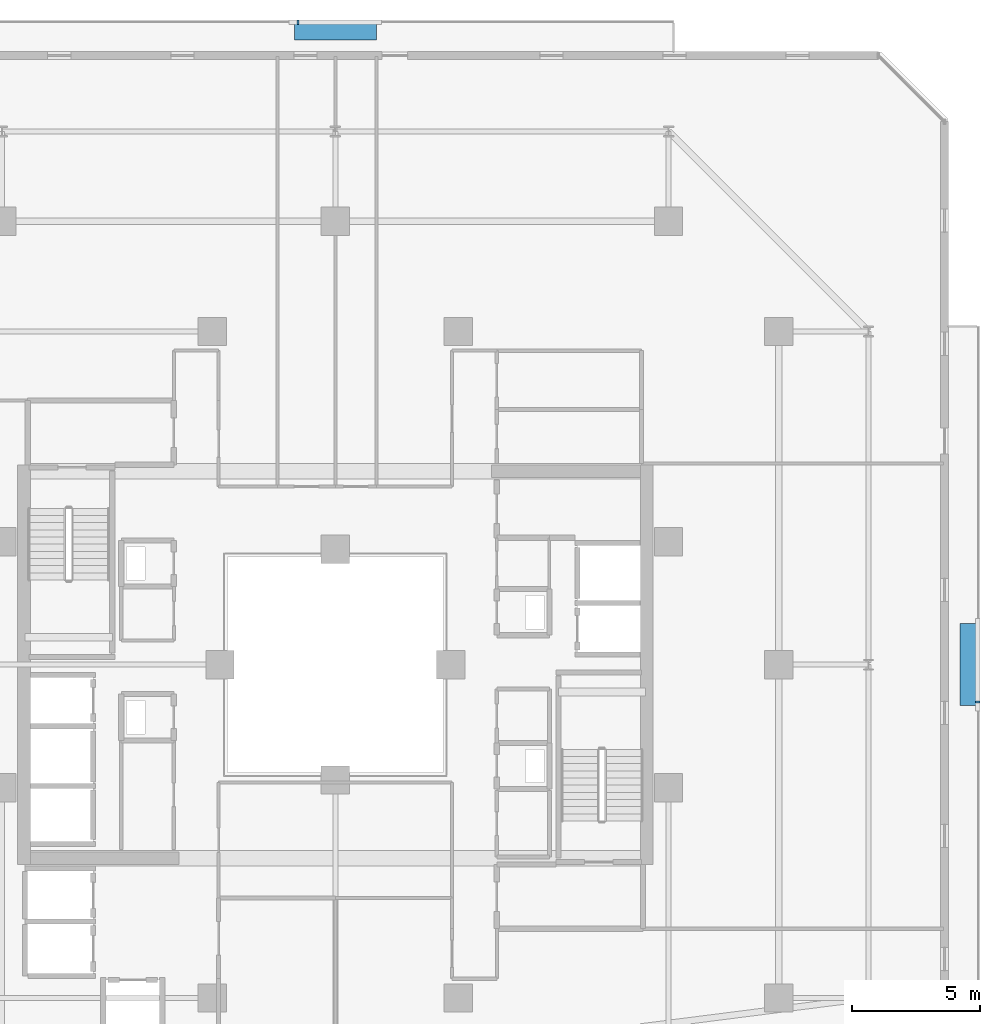
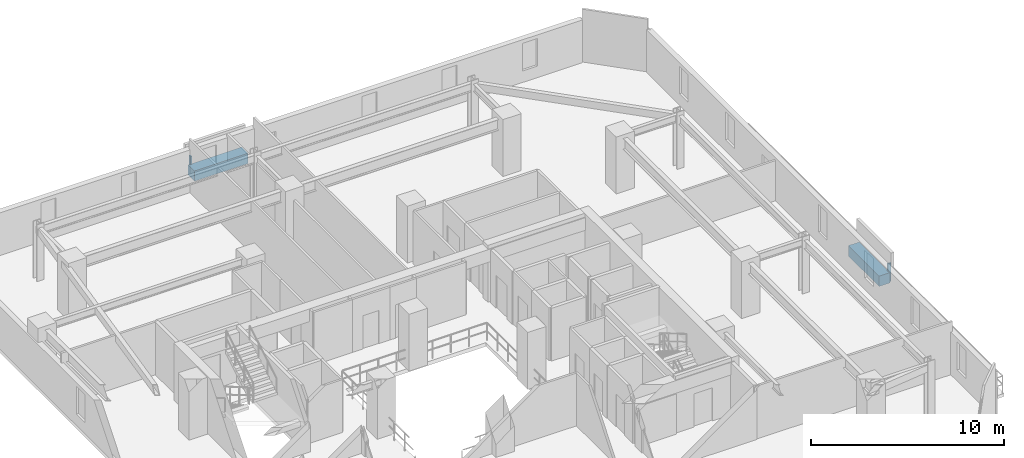
# One storey, part 29 of 33: 4 discrete accessories.
"""IFC4 building model written with IfcOpenShell, lengths in metres."""

from ifc_helpers import new_model, si_unit, direction, frame, origin, origin_2d, place, context, subcontext, project, spatial, rectangle, extrude, material, type_object, element, save


model = new_model("IFC4")

# Units and contexts
model_context = context("Model", 3, precision=1e-05, world=origin(), true_north=direction((0.0, 1.0)))
body_context = subcontext(model_context, "Body", "Model", "MODEL_VIEW")
ifc_project = project(units=[si_unit("LENGTHUNIT", "METRE"), si_unit("AREAUNIT", "SQUARE_METRE"), si_unit("VOLUMEUNIT", "CUBIC_METRE"), si_unit("PLANEANGLEUNIT", "RADIAN"), si_unit("MASSUNIT", "GRAM", prefix="KILO")], contexts=[model_context])

# Site, building, storey
site_placement = place(None, origin())
site = spatial("IfcSite", under=ifc_project, at=site_placement, CompositionType="ELEMENT")
building_placement = place(site_placement, origin())
building = spatial("IfcBuilding", under=site, at=building_placement, Name="Thornwick Lancets Civic Towers", CompositionType="ELEMENT")
storey_placement = place(building_placement, frame((0.0, 0.0, 163.5)))
storey = spatial("IfcBuildingStorey", under=building, at=storey_placement, Name="L43", CompositionType="ELEMENT", Elevation=163.5)

# Discrete accessories
ifc_material_1 = material(Name="Planted terracotta greenery planter", Category="masonry")
discrete_accessory_type_1 = type_object("IfcDiscreteAccessoryType", Name="ACC_PLANTER_BOX", PredefinedType="USERDEFINED", material=ifc_material_1)
discrete_accessory_1_placement = place(storey_placement, frame((113.199951171875, 27.0, 0.0), z_axis=(0.0, 0.0, 1.0), x_axis=(1.0, 0.0, 0.0)))
element("IfcDiscreteAccessory", 1, at=discrete_accessory_1_placement, inside=storey, type_object=discrete_accessory_type_1, Name="L43 Tower B Balcony Greenery Planter E", ObjectType="PLANTER", PredefinedType="USERDEFINED", context=body_context, shape_type="SweptSolid", body=[
    extrude(rectangle(XDim=0.64990234375, YDim=3.199951171875, at=origin_2d()), origin(), (0.0, 0.0, 1.0), 0.64990234375),
])
discrete_accessory_2_placement = place(storey_placement, frame((88.5, 51.699951171875, 0.0), z_axis=(0.0, 0.0, 1.0), x_axis=(1.0, 0.0, 0.0)))
element("IfcDiscreteAccessory", 2, at=discrete_accessory_2_placement, inside=storey, type_object=discrete_accessory_type_1, Name="L43 Tower B Balcony Greenery Planter N", ObjectType="PLANTER", PredefinedType="USERDEFINED", context=body_context, shape_type="SweptSolid", body=[
    extrude(rectangle(XDim=3.199951171875, YDim=0.64990234375, at=origin_2d()), origin(), (0.0, 0.0, 1.0), 0.64990234375),
])
ifc_material_2 = material(Name="Stainless steel S355", Category="steel")
discrete_accessory_type_2 = type_object("IfcDiscreteAccessoryType", Name="ACC_SCREEN_BRACKET", PredefinedType="BRACKET", material=ifc_material_2)
for number, where, z_axis, x_axis, name in (
    (3, (113.56005859375, 25.550048828125, 0.0), (0.0, 0.0, 1.0), (0.0, 1.0, 0.0), "L43 Tower B Balcony Screen Stanchion Bracket E-1"),
    (4, (87.050048828125, 52.06005859375, 0.0), (0.0, 0.0, 1.0), (1.0, 0.0, 0.0), "L43 Tower B Balcony Screen Stanchion Bracket N-1"),
):
    element("IfcDiscreteAccessory", number, at=place(storey_placement, frame(where, z_axis=z_axis, x_axis=x_axis)), inside=storey, type_object=discrete_accessory_type_2, Name=name, PredefinedType="BRACKET", context=body_context, shape_type="SweptSolid", body=[
        extrude(rectangle(XDim=0.080078125, YDim=0.179931640625, at=origin_2d()), origin(), (0.0, 0.0, 1.0), 1.14990234375),
    ])

save(model, "model.ifc")
